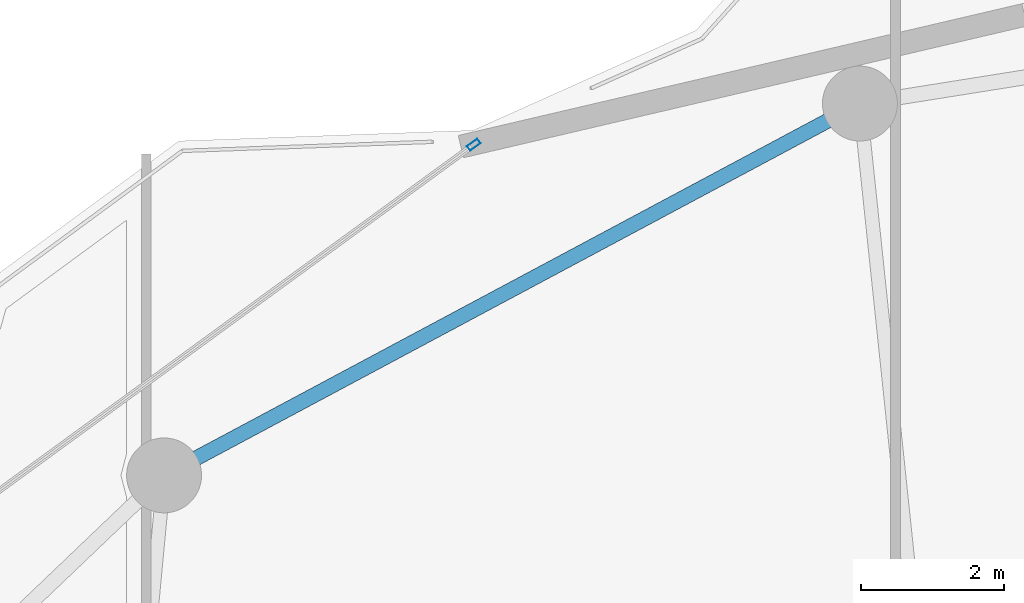
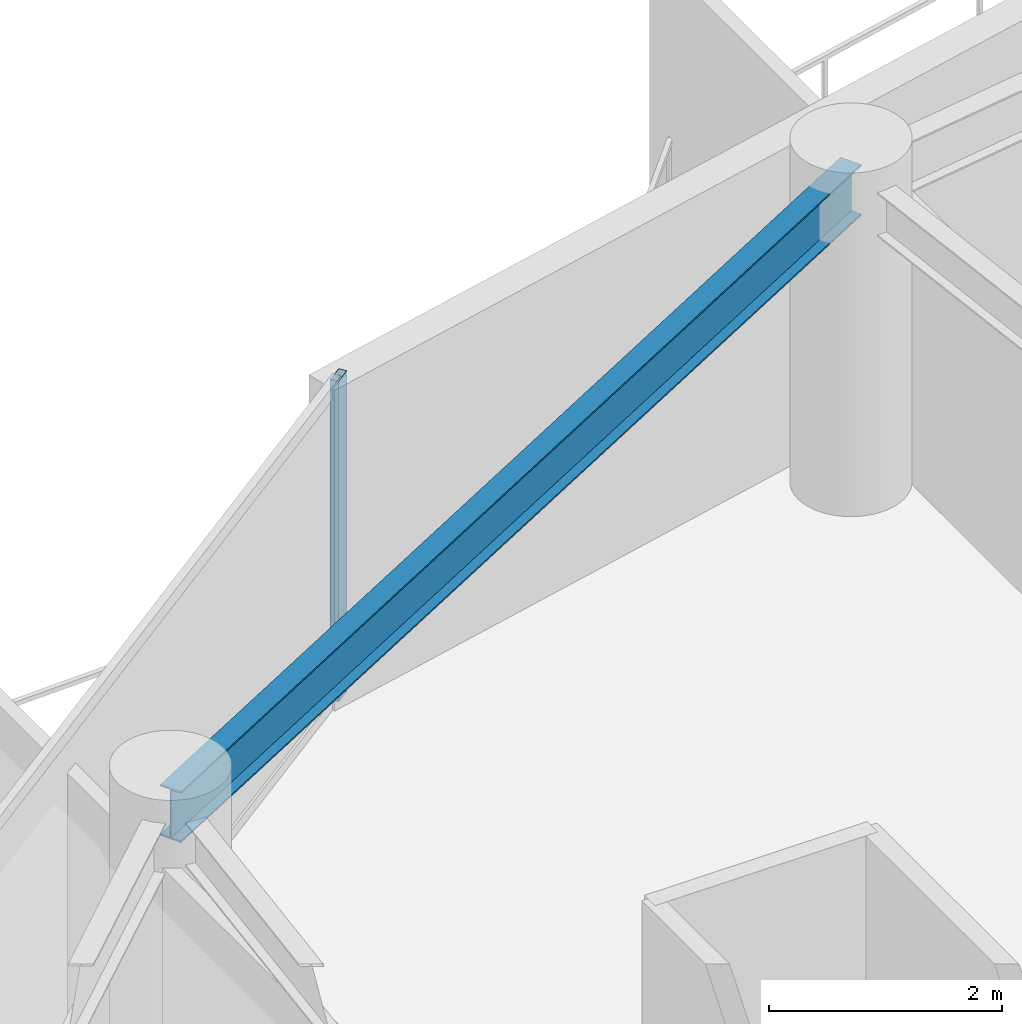
# One storey, part 18 of 31: 1 beam, 1 member, 1 element without a shape of its own.
"""IFC4 building model written with IfcOpenShell, lengths in metres."""

from ifc_helpers import new_model, si_unit, direction, frame, origin, origin_2d, place, context, subcontext, project, spatial, hollow_rectangle, i_section, extrude, material, layer, layer_set, material_profile, profile_set, type_object, element, aggregate, save


model = new_model("IFC4")

# Units and contexts
model_context = context("Model", 3, precision=1e-05, world=origin(), true_north=direction((0.0, 1.0)))
body_context = subcontext(model_context, "Body", "Model", "MODEL_VIEW")
ifc_project = project(units=[si_unit("LENGTHUNIT", "METRE"), si_unit("AREAUNIT", "SQUARE_METRE"), si_unit("VOLUMEUNIT", "CUBIC_METRE"), si_unit("PLANEANGLEUNIT", "RADIAN"), si_unit("MASSUNIT", "GRAM", prefix="KILO")], contexts=[model_context])

# Site, building, storey
site_placement = place(None, origin())
site = spatial("IfcSite", under=ifc_project, at=site_placement, CompositionType="ELEMENT")
building_placement = place(site_placement, origin())
building = spatial("IfcBuilding", under=site, at=building_placement, Name="Kazevale Care Tower and Concert Hall", CompositionType="ELEMENT")
storey_placement = place(building_placement, frame((0.0, 0.0, 217.199951171875)))
storey = spatial("IfcBuildingStorey", under=building, at=storey_placement, Name="L57", CompositionType="ELEMENT", Elevation=217.199951171875)

# Curtain wall, member
ifc_material_1 = material(Name="Aluminium 6063-T6 and Low-E Glass", Category="aluminium")
ifc_layer = layer(ifc_material_1, 0.179931640625)
ifc_layer_set = layer_set([ifc_layer], Name="Aluminium 6063-T6 and Low-E Glass")
curtain_wall_type = type_object("IfcCurtainWallType", Name="Waist & Upper Residential Curtain Wall CW-4", PredefinedType="NOTDEFINED", material=ifc_layer_set)
curtain_wall_placement = place(storey_placement, origin())
curtain_wall = element("IfcCurtainWall", 1, at=curtain_wall_placement, inside=storey, type_object=curtain_wall_type, Name="cw:L57:f14", PredefinedType="NOTDEFINED")
ifc_material_2 = material(Name="Aluminium 6063-T6", Category="aluminium")
ifc_material_profile_1 = material_profile(ifc_material_2, hollow_rectangle(XDim=0.080078125, YDim=0.179931640625, WallThickness=0.0048828125, at=origin_2d()), Name="ALU80x180x5")
ifc_profile_set_1 = profile_set([ifc_material_profile_1], Name="Aluminium 6063-T6")
member_type = type_object("IfcMemberType", Name="CW-4 Mullion ALU80x180x5", PredefinedType="MULLION", material=ifc_profile_set_1)
member_placement = place(storey_placement, frame((28.090576171875, 59.6435546875, 0.0), z_axis=(0.0, 0.0, 1.0), x_axis=(-0.588910374145, 0.808198348937, 0.0)))
member = element("IfcMember", 2, at=member_placement, type_object=member_type, Name="CW-4 mullion 2", PredefinedType="MULLION", context=body_context, shape_type="SweptSolid", body=[
    extrude(hollow_rectangle(XDim=0.080078125, YDim=0.179931640625, WallThickness=0.0048828125, at=origin_2d()), origin(), (0.0, 0.0, 1.0), 3.360107421875),
])
aggregate(curtain_wall, [member])

# Beam
ifc_material_3 = material(Name="Steel ASTM A572 Gr 50", Category="steel")
ifc_material_profile_2 = material_profile(ifc_material_3, i_section(OverallWidth=0.208984375, OverallDepth=0.532958984375, WebThickness=0.01025390625, FlangeThickness=0.015625, at=origin_2d()), Name="W530x92")
ifc_profile_set_2 = profile_set([ifc_material_profile_2], Name="Steel ASTM A572 Gr 50")
beam_type = type_object("IfcBeamType", Name="Upper Ring Beam W530x92", PredefinedType="BEAM", material=ifc_profile_set_2)
beam_placement = place(storey_placement, frame((33.5, 60.219970703125, 3.093505859375), z_axis=(-0.881978519833, -0.471289603697, 0.0), x_axis=(0.471289603697, -0.881978519833, 0.0)))
element("IfcBeam", 3, at=beam_placement, inside=storey, type_object=beam_type, Name="beam:L57:ring:06", PredefinedType="BEAM", context=body_context, shape_type="SweptSolid", body=[
    extrude(i_section(OverallWidth=0.208984375, OverallDepth=0.532958984375, WebThickness=0.01025390625, FlangeThickness=0.015625, at=origin_2d()), origin(), (0.0, 0.0, 1.0), 11.0546875),
])

save(model, "model.ifc")
